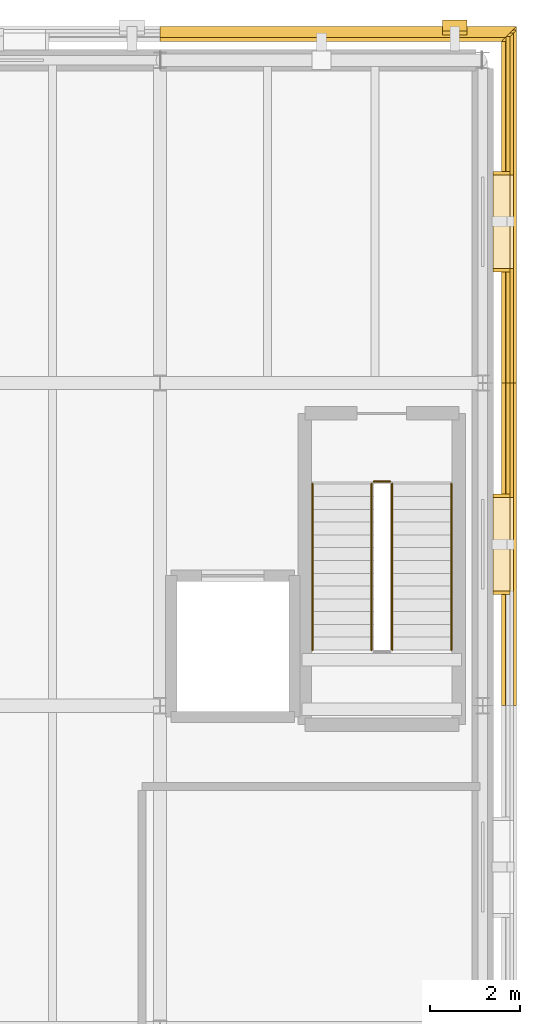
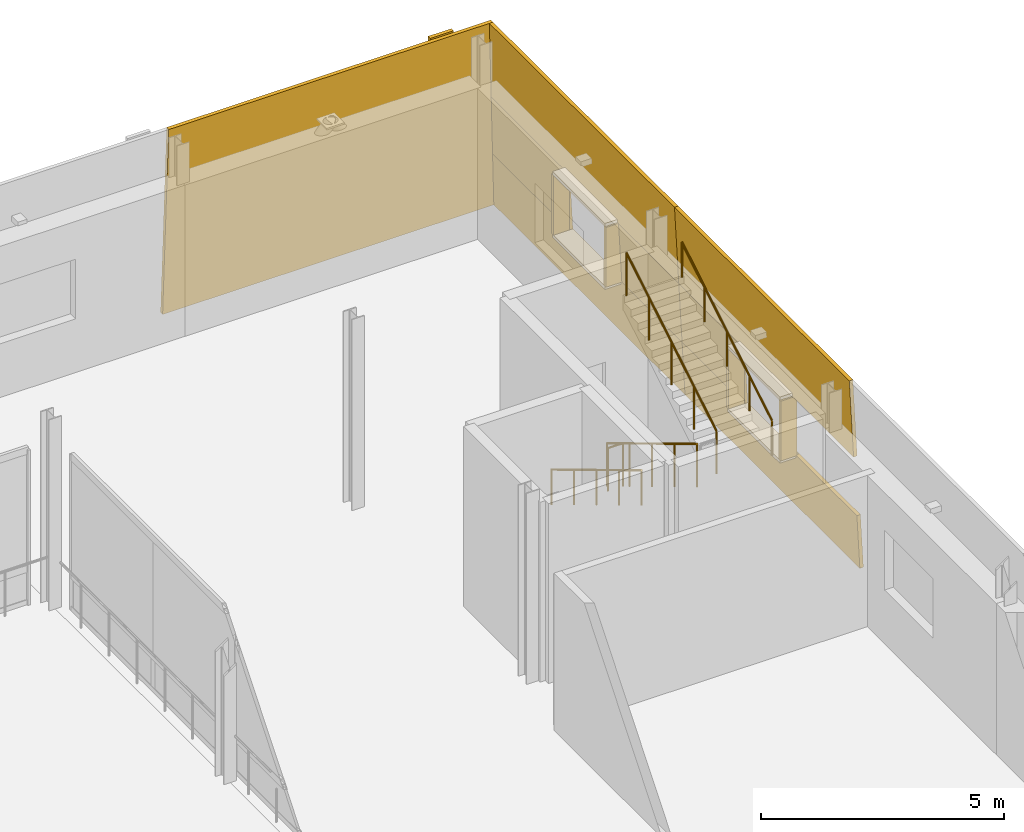
# One storey, part 121 of 121: 17 coverings, 5 railings.
"""IFC4 building model written with IfcOpenShell, lengths in metres."""

from ifc_helpers import new_model, si_unit, direction, frame, origin, origin_2d, place, context, subcontext, project, spatial, polyline, circle, outline, extrude, material, layer, layer_set, type_object, element, save


model = new_model("IFC4")

# Units and contexts
model_context = context("Model", 3, precision=1e-05, world=origin(), true_north=direction((0.0, 1.0)))
body_context = subcontext(model_context, "Body", "Model", "MODEL_VIEW")
ifc_project = project(units=[si_unit("LENGTHUNIT", "METRE"), si_unit("AREAUNIT", "SQUARE_METRE"), si_unit("VOLUMEUNIT", "CUBIC_METRE"), si_unit("PLANEANGLEUNIT", "RADIAN"), si_unit("MASSUNIT", "GRAM", prefix="KILO")], contexts=[model_context])

# Site, building, storey
site_placement = place(None, origin())
site = spatial("IfcSite", under=ifc_project, at=site_placement, CompositionType="ELEMENT")
building_placement = place(site_placement, origin())
building = spatial("IfcBuilding", under=site, at=building_placement, Name="Narikvali Park Central Library", CompositionType="ELEMENT")
storey_placement = place(building_placement, frame((0.0, 0.0, 5.39990234375)))
storey = spatial("IfcBuildingStorey", under=building, at=storey_placement, Name="L01", CompositionType="ELEMENT", Elevation=5.39990234375)

# Coverings
ifc_material_1 = material(Name="White Honed Limestone Cladding", Category="masonry")
ifc_layer_1 = layer(ifc_material_1, 0.0849609375, Name="White Honed Limestone Cladding")
ifc_layer_set_1 = layer_set([ifc_layer_1], Name="White Honed Limestone Cladding")
covering_type_1 = type_object("IfcCoveringType", Name="Battered White Limestone Facade Cladding Panel", PredefinedType="CLADDING", material=ifc_layer_set_1)
covering_1_placement = place(storey_placement, frame((166.358642578125, 100.800048828125, 0.0), z_axis=(0.998637216249, 0.0, 0.052189178209), x_axis=(0.0, 1.0, 0.0)))
element("IfcCovering", 1, at=covering_1_placement, inside=storey, type_object=covering_type_1, Name="V3 L01 E Battered Limestone Spandrel B04", PredefinedType="CLADDING", context=body_context, shape_type="SweptSolid", body=[
    extrude(outline(polyline([(0.0, 0.0), (7.199951171875, 0.0), (7.199951171875, 1.3519400581934202), (0.0, 1.3519400581934202), (0.0, 0.0)])), origin(), (0.0, 0.0, -1.0), 0.0849609375),
])
covering_2_placement = place(storey_placement, frame((166.2099609375, 100.800048828125, 2.85009765625), z_axis=(0.998646348793, 0.0, 0.052014133104), x_axis=(0.0, 1.0, 0.0)))
element("IfcCovering", 2, at=covering_2_placement, inside=storey, type_object=covering_type_1, Name="V3 L01 E Battered Limestone Lintel B04", PredefinedType="CLADDING", context=body_context, shape_type="SweptSolid", body=[
    extrude(outline(polyline([(0.0, 0.0), (7.199951171875, 0.0), (7.199951171875, 1.9525943035108282), (0.0, 1.9525943035108282), (0.0, 0.0)])), origin(), (0.0, 0.0, -1.0), 0.0849609375),
])
covering_3_placement = place(storey_placement, frame((166.2880859375, 105.43994140625, 1.35009765625), z_axis=(0.998646416446, 0.0, 0.05201283419), x_axis=(0.0, 1.0, 0.0)))
element("IfcCovering", 3, at=covering_3_placement, inside=storey, type_object=covering_type_1, Name="V3 L01 E Battered Limestone Jamb Pier R B04", PredefinedType="CLADDING", context=body_context, shape_type="SweptSolid", body=[
    extrude(outline(polyline([(0.0, 0.0), (2.56005859375, 0.0), (2.56005859375, 1.5020331273394072), (0.0, 1.5020331273394072), (0.0, 0.0)])), origin(), (0.0, 0.0, -1.0), 0.0849609375),
])
covering_4_placement = place(storey_placement, frame((166.358642578125, 108.0, 0.0), z_axis=(0.998637216249, 0.0, 0.052189178209), x_axis=(0.0, 1.0, 0.0)))
element("IfcCovering", 4, at=covering_4_placement, inside=storey, type_object=covering_type_1, Name="V3 L01 E Battered Limestone Spandrel B05", PredefinedType="CLADDING", context=body_context, shape_type="SweptSolid", body=[
    extrude(outline(polyline([(0.0, 0.0), (7.87353515625, 0.0), (7.80322265625, 1.3519400581934204), (0.0, 1.3519400581934204), (0.0, 0.0)])), origin(), (0.0, 0.0, -1.0), 0.0849609375),
])
covering_5_placement = place(storey_placement, frame((166.2099609375, 108.0, 2.85009765625), z_axis=(0.998646348793, 0.0, 0.052014133104), x_axis=(0.0, 1.0, 0.0)))
element("IfcCovering", 5, at=covering_5_placement, inside=storey, type_object=covering_type_1, Name="V3 L01 E Battered Limestone Lintel B05", PredefinedType="CLADDING", context=body_context, shape_type="SweptSolid", body=[
    extrude(outline(polyline([(0.0, 0.0), (7.72509765625, 0.0), (7.623291015625, 1.952594303510828), (0.0, 1.952594303510828), (0.0, 0.0)])), origin(), (0.0, 0.0, -1.0), 0.0849609375),
])
covering_6_placement = place(storey_placement, frame((166.2880859375, 108.0, 1.35009765625), z_axis=(0.998646416446, 0.0, 0.05201283419), x_axis=(0.0, 1.0, 0.0)))
element("IfcCovering", 6, at=covering_6_placement, inside=storey, type_object=covering_type_1, Name="V3 L01 E Battered Limestone Jamb Pier L B05", PredefinedType="CLADDING", context=body_context, shape_type="SweptSolid", body=[
    extrude(outline(polyline([(0.0, 0.0), (2.56005859375, 0.0), (2.56005859375, 1.5020331273394072), (0.0, 1.5020331273394072), (0.0, 0.0)])), origin(), (0.0, 0.0, -1.0), 0.0849609375),
])
covering_7_placement = place(storey_placement, frame((166.2880859375, 112.639892578125, 1.35009765625), z_axis=(0.998646416446, 0.0, 0.05201283419), x_axis=(0.0, 1.0, 0.0)))
element("IfcCovering", 7, at=covering_7_placement, inside=storey, type_object=covering_type_1, Name="V3 L01 E Battered Limestone Jamb Pier R B05", PredefinedType="CLADDING", context=body_context, shape_type="SweptSolid", body=[
    extrude(outline(polyline([(0.0, 0.0), (3.163330078125, 0.0), (3.085205078125, 1.5020331273394074), (0.0, 1.5020331273394074), (0.0, 0.0)])), origin(), (0.0, 0.0, -1.0), 0.0849609375),
])
covering_8_placement = place(storey_placement, frame((165.25, 116.0986328125, 0.0), z_axis=(0.0, 0.998643804351, 0.052062962182), x_axis=(-1.0, 0.0, 0.0)))
element("IfcCovering", 8, at=covering_8_placement, inside=storey, type_object=covering_type_1, Name="V3 L01 N Classical Limestone Pilaster B01", PredefinedType="CLADDING", context=body_context, shape_type="SweptSolid", body=[
    extrude(outline(polyline([(0.0, 0.0), (0.550048828125, 0.0), (0.550048828125, 4.80656747401941), (0.0, 4.80656747401941), (0.0, 0.0)])), origin(), (0.0, 0.0, -1.0), 0.0849609375),
])
covering_9_placement = place(storey_placement, frame((166.358642578125, 115.95849609375, 0.0), z_axis=(0.0, 0.998646443928, 0.052012306525), x_axis=(-1.0, 0.0, 0.0)))
element("IfcCovering", 9, at=covering_9_placement, inside=storey, type_object=covering_type_1, Name="V3 L01 N Battered Limestone Panel B01", PredefinedType="CLADDING", context=body_context, shape_type="SweptSolid", body=[
    extrude(outline(polyline([(0.0, 0.0), (7.958740234375, 0.0), (7.958740234375, 4.8065547695188275), (0.250244140625, 4.8065547695188275), (0.0, 0.0)])), origin(), (0.0, 0.0, -1.0), 0.0849609375),
])
ifc_layer_2 = layer(ifc_material_1, 0.080078125, Name="White Honed Limestone Cladding")
ifc_layer_set_2 = layer_set([ifc_layer_2], Name="White Honed Limestone Cladding")
covering_type_2 = type_object("IfcCoveringType", Name="Deep Carved White Limestone Window Reveal", PredefinedType="CLADDING", material=ifc_layer_set_2)
covering_10_placement = place(storey_placement, frame((0.0, 0.0, 2.85009765625)))
element("IfcCovering", 10, at=covering_10_placement, inside=storey, type_object=covering_type_2, Name="Deep Stone Reveal Head V3-RVL-L01-E-B04", PredefinedType="CLADDING", context=body_context, shape_type="SweptSolid", body=[
    extrude(outline(polyline([(165.824951171875, 103.320068359375), (165.824951171875, 105.47998046875), (166.2099609375, 105.47998046875), (166.2099609375, 103.320068359375), (165.824951171875, 103.320068359375)])), origin(), (0.0, 0.0, 1.0), 0.080078125),
])
covering_11_placement = place(storey_placement, frame((0.0, 0.0, 1.27001953125)))
element("IfcCovering", 11, at=covering_11_placement, inside=storey, type_object=covering_type_2, Name="Deep Stone Reveal Sill V3-RVL-L01-E-B04", PredefinedType="CLADDING", context=body_context, shape_type="SweptSolid", body=[
    extrude(outline(polyline([(165.824951171875, 103.320068359375), (165.824951171875, 105.47998046875), (166.2880859375, 105.47998046875), (166.2880859375, 103.320068359375), (165.824951171875, 103.320068359375)])), origin(), (0.0, 0.0, 1.0), 0.080078125),
])
covering_12_placement = place(storey_placement, frame((0.0, 0.0, 1.35009765625)))
element("IfcCovering", 12, at=covering_12_placement, inside=storey, type_object=covering_type_2, Name="Deep Stone Reveal Jamb L V3-RVL-L01-E-B04", PredefinedType="CLADDING", context=body_context, shape_type="SweptSolid", body=[
    extrude(outline(polyline([(165.824951171875, 103.280029296875), (165.824951171875, 103.360107421875), (166.2099609375, 103.360107421875), (166.2099609375, 103.280029296875), (165.824951171875, 103.280029296875)])), origin(), (0.0, 0.0, 1.0), 1.5),
])
covering_13_placement = place(storey_placement, frame((0.0, 0.0, 1.35009765625)))
element("IfcCovering", 13, at=covering_13_placement, inside=storey, type_object=covering_type_2, Name="Deep Stone Reveal Jamb R V3-RVL-L01-E-B04", PredefinedType="CLADDING", context=body_context, shape_type="SweptSolid", body=[
    extrude(outline(polyline([(165.824951171875, 105.43994140625), (165.824951171875, 105.52001953125), (166.2099609375, 105.52001953125), (166.2099609375, 105.43994140625), (165.824951171875, 105.43994140625)])), origin(), (0.0, 0.0, 1.0), 1.5),
])
covering_14_placement = place(storey_placement, frame((0.0, 0.0, 2.85009765625)))
element("IfcCovering", 14, at=covering_14_placement, inside=storey, type_object=covering_type_2, Name="Deep Stone Reveal Head V3-RVL-L01-E-B05", PredefinedType="CLADDING", context=body_context, shape_type="SweptSolid", body=[
    extrude(outline(polyline([(165.824951171875, 110.52001953125), (165.824951171875, 112.679931640625), (166.2099609375, 112.679931640625), (166.2099609375, 110.52001953125), (165.824951171875, 110.52001953125)])), origin(), (0.0, 0.0, 1.0), 0.080078125),
])
covering_15_placement = place(storey_placement, frame((0.0, 0.0, 1.27001953125)))
element("IfcCovering", 15, at=covering_15_placement, inside=storey, type_object=covering_type_2, Name="Deep Stone Reveal Sill V3-RVL-L01-E-B05", PredefinedType="CLADDING", context=body_context, shape_type="SweptSolid", body=[
    extrude(outline(polyline([(165.824951171875, 110.52001953125), (165.824951171875, 112.679931640625), (166.2880859375, 112.679931640625), (166.2880859375, 110.52001953125), (165.824951171875, 110.52001953125)])), origin(), (0.0, 0.0, 1.0), 0.080078125),
])
covering_16_placement = place(storey_placement, frame((0.0, 0.0, 1.35009765625)))
element("IfcCovering", 16, at=covering_16_placement, inside=storey, type_object=covering_type_2, Name="Deep Stone Reveal Jamb L V3-RVL-L01-E-B05", PredefinedType="CLADDING", context=body_context, shape_type="SweptSolid", body=[
    extrude(outline(polyline([(165.824951171875, 110.47998046875), (165.824951171875, 110.56005859375), (166.2099609375, 110.56005859375), (166.2099609375, 110.47998046875), (165.824951171875, 110.47998046875)])), origin(), (0.0, 0.0, 1.0), 1.5),
])
covering_17_placement = place(storey_placement, frame((0.0, 0.0, 1.35009765625)))
element("IfcCovering", 17, at=covering_17_placement, inside=storey, type_object=covering_type_2, Name="Deep Stone Reveal Jamb R V3-RVL-L01-E-B05", PredefinedType="CLADDING", context=body_context, shape_type="SweptSolid", body=[
    extrude(outline(polyline([(165.824951171875, 112.639892578125), (165.824951171875, 112.719970703125), (166.2099609375, 112.719970703125), (166.2099609375, 112.639892578125), (165.824951171875, 112.639892578125)])), origin(), (0.0, 0.0, 1.0), 1.5),
])

# Railings
ifc_material_2 = material(Name="Brushed Stainless Steel S355", Category="steel")
ifc_layer_3 = layer(ifc_material_2, 0.044921875, Name="Brushed Stainless Steel S355")
ifc_layer_set_3 = layer_set([ifc_layer_3], Name="Brushed Stainless Steel S355")
railing_type_1 = type_object("IfcRailingType", Name="Stair Tubular Steel Handrail 900", PredefinedType="HANDRAIL", material=ifc_layer_set_3)
railing_1_placement = place(storey_placement, frame((161.800048828125, 105.75, 0.171630859375)))
element("IfcRailing", 18, at=railing_1_placement, inside=storey, type_object=railing_type_1, Name="L01 ST-06 stair handrail 1", PredefinedType="HANDRAIL", context=body_context, shape_type="SweptSolid", body=[
    extrude(circle(Radius=0.02392578125, at=origin_2d()), frame((0.0, 0.0, 0.8759765625), z_axis=(0.0, -0.856934400257, 0.515425487977), x_axis=(1.0, 0.0, 0.0)), (0.0, 0.0, 1.0), 4.32373046875),
    extrude(circle(Radius=0.02099609375, at=origin_2d()), origin(), (0.0, 0.0, 1.0), 0.851806640625),
    extrude(circle(Radius=0.02099609375, at=origin_2d()), frame((0.0, -0.92626953125, 0.55712890625)), (0.0, 0.0, 1.0), 0.851806640625),
    extrude(circle(Radius=0.02099609375, at=origin_2d()), frame((0.0, -1.8525390625, 1.1142578125)), (0.0, 0.0, 1.0), 0.851806640625),
    extrude(circle(Radius=0.02099609375, at=origin_2d()), frame((0.0, -2.77880859375, 1.67138671875)), (0.0, 0.0, 1.0), 0.851806640625),
    extrude(circle(Radius=0.02099609375, at=origin_2d()), frame((0.0, -3.705078125, 2.228515625)), (0.0, 0.0, 1.0), 0.851806640625),
])
railing_2_placement = place(storey_placement, frame((164.89990234375, 102.044921875, 2.571533203125)))
element("IfcRailing", 19, at=railing_2_placement, inside=storey, type_object=railing_type_1, Name="L01 ST-06 stair handrail 2", PredefinedType="HANDRAIL", context=body_context, shape_type="SweptSolid", body=[
    extrude(circle(Radius=0.02392578125, at=origin_2d()), frame((0.0, 0.0, 0.8759765625), z_axis=(0.0, 0.856934400257, 0.515425487977), x_axis=(-1.0, 0.0, 0.0)), (0.0, 0.0, 1.0), 4.32373046875),
    extrude(circle(Radius=0.02099609375, at=origin_2d()), origin(), (0.0, 0.0, 1.0), 0.851806640625),
    extrude(circle(Radius=0.02099609375, at=origin_2d()), frame((0.0, 0.92626953125, 0.55712890625)), (0.0, 0.0, 1.0), 0.851806640625),
    extrude(circle(Radius=0.02099609375, at=origin_2d()), frame((0.0, 1.8525390625, 1.1142578125)), (0.0, 0.0, 1.0), 0.851806640625),
    extrude(circle(Radius=0.02099609375, at=origin_2d()), frame((0.0, 2.77880859375, 1.67138671875)), (0.0, 0.0, 1.0), 0.851806640625),
    extrude(circle(Radius=0.02099609375, at=origin_2d()), frame((0.0, 3.705078125, 2.228515625)), (0.0, 0.0, 1.0), 0.851806640625),
])
ifc_material_3 = material(Name="Powder-Coated Steel S275", Category="steel")
ifc_layer_4 = layer(ifc_material_3, 0.050048828125, Name="Powder-Coated Steel S275")
ifc_layer_set_4 = layer_set([ifc_layer_4], Name="Powder-Coated Steel S275")
railing_type_2 = type_object("IfcRailingType", Name="Stair Well Steel Guardrail 1100", PredefinedType="GUARDRAIL", material=ifc_layer_set_4)
railing_3_placement = place(storey_placement, frame((163.1201171875, 105.75, 0.171630859375)))
element("IfcRailing", 20, at=railing_3_placement, inside=storey, type_object=railing_type_2, Name="L01 ST-06 stair guard 1", PredefinedType="GUARDRAIL", context=body_context, shape_type="SweptSolid", body=[
    extrude(circle(Radius=0.02392578125, at=origin_2d()), frame((0.0, 0.0, 1.076171875), z_axis=(0.0, -0.856934400257, 0.515425487977), x_axis=(1.0, 0.0, 0.0)), (0.0, 0.0, 1.0), 4.32373046875),
    extrude(circle(Radius=0.02099609375, at=origin_2d()), origin(), (0.0, 0.0, 1.0), 1.052001953125),
    extrude(circle(Radius=0.02099609375, at=origin_2d()), frame((0.0, -0.92626953125, 0.55712890625)), (0.0, 0.0, 1.0), 1.052001953125),
    extrude(circle(Radius=0.02099609375, at=origin_2d()), frame((0.0, -1.8525390625, 1.1142578125)), (0.0, 0.0, 1.0), 1.052001953125),
    extrude(circle(Radius=0.02099609375, at=origin_2d()), frame((0.0, -2.77880859375, 1.67138671875)), (0.0, 0.0, 1.0), 1.052001953125),
    extrude(circle(Radius=0.02099609375, at=origin_2d()), frame((0.0, -3.705078125, 2.228515625)), (0.0, 0.0, 1.0), 1.052001953125),
])
railing_4_placement = place(storey_placement, frame((163.580078125, 102.044921875, 2.571533203125)))
element("IfcRailing", 21, at=railing_4_placement, inside=storey, type_object=railing_type_2, Name="L01 ST-06 stair guard 3", PredefinedType="GUARDRAIL", context=body_context, shape_type="SweptSolid", body=[
    extrude(circle(Radius=0.02392578125, at=origin_2d()), frame((0.0, 0.0, 1.076171875), z_axis=(0.0, 0.856934400257, 0.515425487977), x_axis=(-1.0, 0.0, 0.0)), (0.0, 0.0, 1.0), 4.32373046875),
    extrude(circle(Radius=0.02099609375, at=origin_2d()), origin(), (0.0, 0.0, 1.0), 1.052001953125),
    extrude(circle(Radius=0.02099609375, at=origin_2d()), frame((0.0, 0.92626953125, 0.55712890625)), (0.0, 0.0, 1.0), 1.052001953125),
    extrude(circle(Radius=0.02099609375, at=origin_2d()), frame((0.0, 1.8525390625, 1.1142578125)), (0.0, 0.0, 1.0), 1.052001953125),
    extrude(circle(Radius=0.02099609375, at=origin_2d()), frame((0.0, 2.77880859375, 1.67138671875)), (0.0, 0.0, 1.0), 1.052001953125),
    extrude(circle(Radius=0.02099609375, at=origin_2d()), frame((0.0, 3.705078125, 2.228515625)), (0.0, 0.0, 1.0), 1.052001953125),
])
railing_5_placement = place(storey_placement, frame((163.169921875, 105.800048828125, 0.0)))
element("IfcRailing", 22, at=railing_5_placement, inside=storey, type_object=railing_type_2, Name="L01 ST-06 stair guard 4", PredefinedType="GUARDRAIL", context=body_context, shape_type="SweptSolid", body=[
    extrude(circle(Radius=0.02392578125, at=origin_2d()), frame((0.0, 0.0, 1.076171875), z_axis=(1.0, 0.0, 0.0), x_axis=(0.0, 1.0, 0.0)), (0.0, 0.0, 1.0), 0.360107421875),
    extrude(circle(Radius=0.02099609375, at=origin_2d()), origin(), (0.0, 0.0, 1.0), 1.052001953125),
    extrude(circle(Radius=0.02099609375, at=origin_2d()), frame((0.360107421875, 0.0, 0.0)), (0.0, 0.0, 1.0), 1.052001953125),
])

save(model, "model.ifc")
